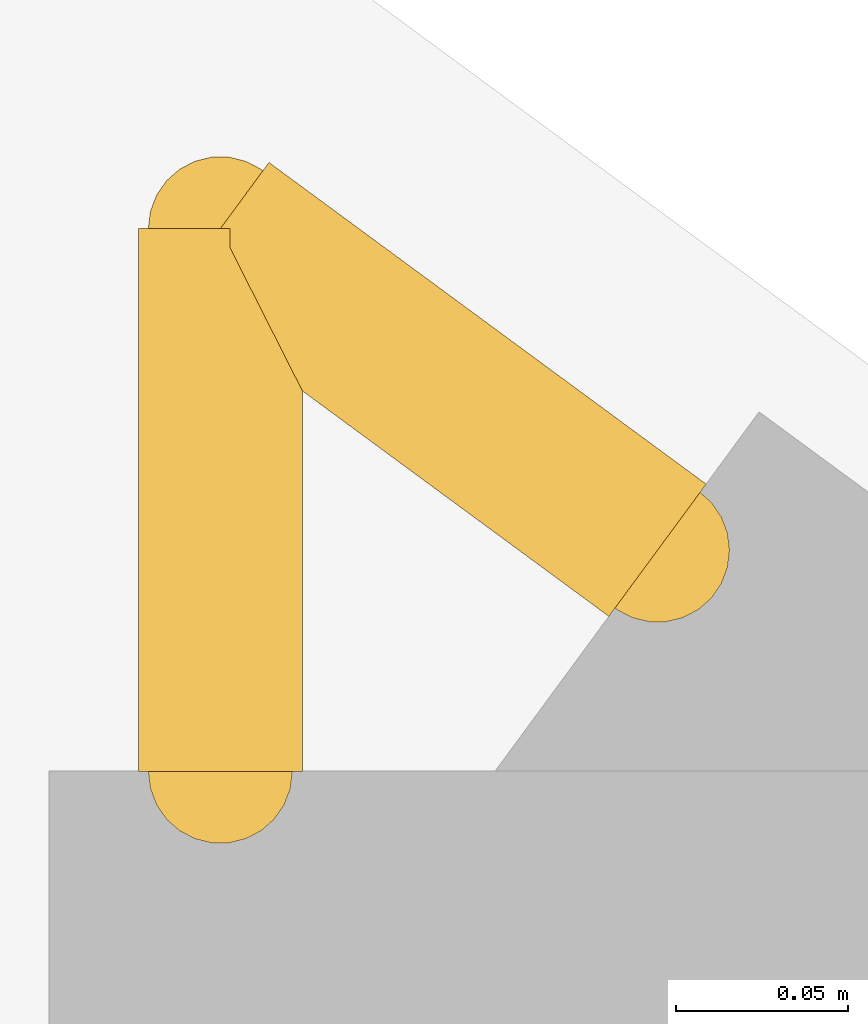
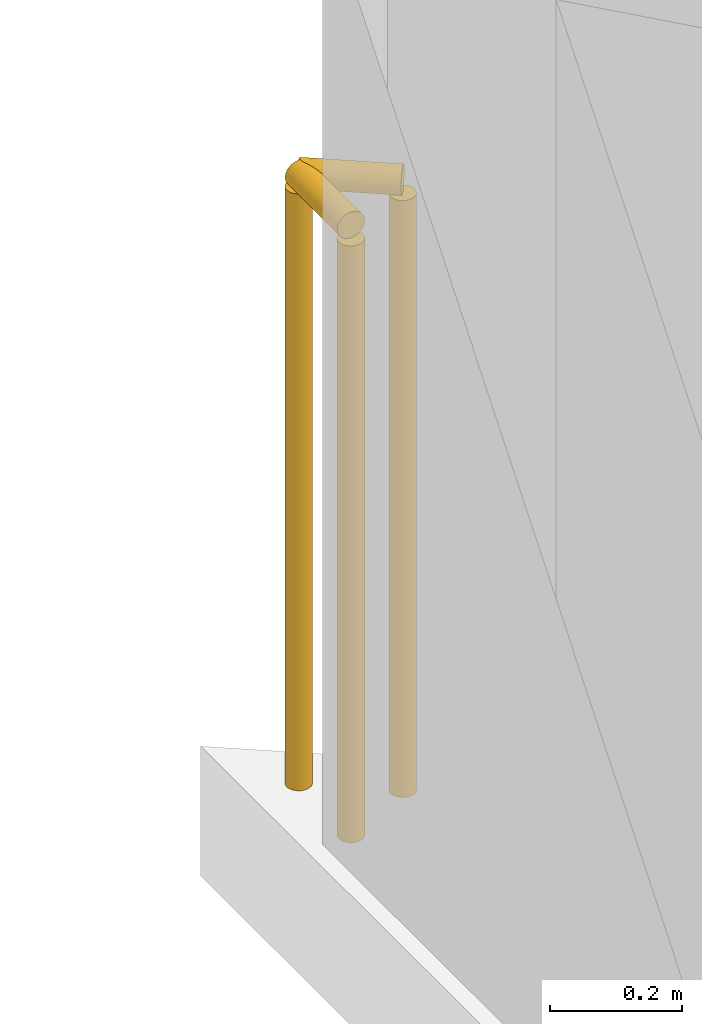
# One storey, part 16 of 16: 2 railings.
"""IFC4 building model written with IfcOpenShell, lengths in metres."""

from ifc_helpers import new_model, si_unit, direction, frame, origin, origin_2d, place, context, subcontext, project, spatial, circle, extrude, material, type_object, element, save


model = new_model("IFC4")

# Units and contexts
model_context = context("Model", 3, precision=1e-05, world=origin(), true_north=direction((0.0, 1.0)))
body_context = subcontext(model_context, "Body", "Model", "MODEL_VIEW")
ifc_project = project(units=[si_unit("LENGTHUNIT", "METRE"), si_unit("AREAUNIT", "SQUARE_METRE"), si_unit("VOLUMEUNIT", "CUBIC_METRE"), si_unit("PLANEANGLEUNIT", "RADIAN"), si_unit("MASSUNIT", "GRAM", prefix="KILO")], contexts=[model_context])

# Site, building, storey
site_placement = place(None, origin())
site = spatial("IfcSite", under=ifc_project, at=site_placement, CompositionType="ELEMENT")
building_placement = place(site_placement, origin())
building = spatial("IfcBuilding", under=site, at=building_placement, Name="Varnakote Quay Hospital", CompositionType="ELEMENT")
storey_placement = place(building_placement, frame((0.0, 0.0, 292.10009765625)))
storey = spatial("IfcBuildingStorey", under=building, at=storey_placement, Name="L72", CompositionType="ELEMENT", Elevation=292.10009765625)

# Railings
ifc_material = material(Name="Anodised aluminium 6063-T6 Bronze", Category="aluminium")
railing_type = type_object("IfcRailingType", Name="RLG-EXT-GUARD-1150", PredefinedType="GUARDRAIL", material=ifc_material)
railing_1_placement = place(storey_placement, frame((2.3798828125, 39.8837890625, 0.0)))
element("IfcRailing", 1, at=railing_1_placement, inside=storey, type_object=railing_type, Name="L72 Slab Edge Perimeter Safety Guard", PredefinedType="GUARDRAIL", context=body_context, shape_type="SweptSolid", body=[
    extrude(circle(Radius=0.02392578125, at=origin_2d()), frame((0.0, 0.0, 1.1259765625), z_axis=(0.0, 1.0, 0.0), x_axis=(-1.0, 0.0, 0.0)), (0.0, 0.0, 1.0), 0.158203125),
    extrude(circle(Radius=0.02099609375, at=origin_2d()), origin(), (0.0, 0.0, 1.0), 1.101806640625),
    extrude(circle(Radius=0.02099609375, at=origin_2d()), frame((0.0, 0.158203125, 0.0)), (0.0, 0.0, 1.0), 1.101806640625),
])
railing_2_placement = place(storey_placement, frame((2.3798828125, 40.0419921875, 0.0)))
element("IfcRailing", 2, at=railing_2_placement, inside=storey, type_object=railing_type, Name="L72 Slab Edge Perimeter Safety Guard", PredefinedType="GUARDRAIL", context=body_context, shape_type="SweptSolid", body=[
    extrude(circle(Radius=0.02392578125, at=origin_2d()), frame((0.0, 0.0, 1.1259765625), z_axis=(0.805521026073, -0.592567191594, 0.0), x_axis=(0.592567191594, 0.805521026073, 0.0)), (0.0, 0.0, 1.0), 0.158203125),
    extrude(circle(Radius=0.02099609375, at=origin_2d()), origin(), (0.0, 0.0, 1.0), 1.101806640625),
    extrude(circle(Radius=0.02099609375, at=origin_2d()), frame((0.12744140625, -0.09375, 0.0)), (0.0, 0.0, 1.0), 1.101806640625),
])

save(model, "model.ifc")
